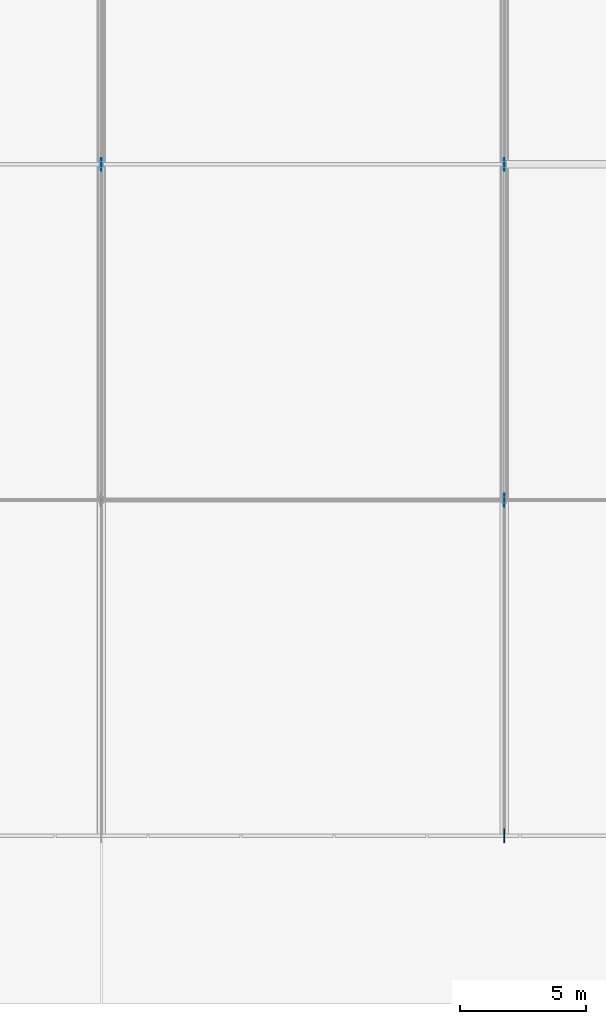
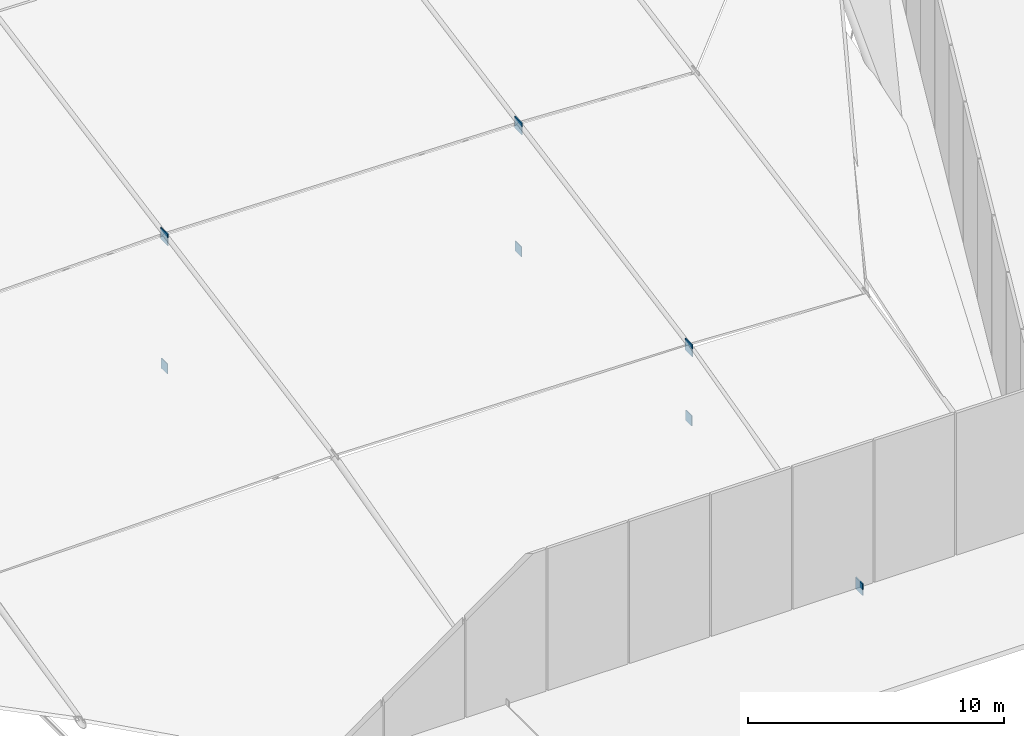
# One storey, part 23 of 30: 7 plates.
"""IFC4 building model written with IfcOpenShell, lengths in metres."""

from ifc_helpers import new_model, si_unit, direction, frame, origin, origin_2d, place, context, subcontext, project, spatial, rectangle, extrude, material, layer, layer_set, type_object, element, save


model = new_model("IFC4")

# Units and contexts
model_context = context("Model", 3, precision=1e-05, world=origin(), true_north=direction((0.0, 1.0)))
body_context = subcontext(model_context, "Body", "Model", "MODEL_VIEW")
ifc_project = project(units=[si_unit("LENGTHUNIT", "METRE"), si_unit("AREAUNIT", "SQUARE_METRE"), si_unit("VOLUMEUNIT", "CUBIC_METRE"), si_unit("PLANEANGLEUNIT", "RADIAN"), si_unit("MASSUNIT", "GRAM", prefix="KILO")], contexts=[model_context])

# Site, building, storey
site_placement = place(None, origin())
site = spatial("IfcSite", under=ifc_project, at=site_placement, CompositionType="ELEMENT")
building_placement = place(site_placement, origin())
building = spatial("IfcBuilding", under=site, at=building_placement, Name="Tazarka Park Arena", CompositionType="ELEMENT")
storey_placement = place(building_placement, frame((0.0, 0.0, 29.39990234375)))
storey = spatial("IfcBuildingStorey", under=building, at=storey_placement, Name="Roof", CompositionType="ELEMENT", Elevation=29.39990234375)

# Plates
ifc_material_1 = material(Name="Steel S460", Category="steel")
ifc_layer_1 = layer(ifc_material_1, 0.0439453125, Name="Steel S460")
ifc_layer_set_1 = layer_set([ifc_layer_1], Name="Steel S460")
plate_type_1 = type_object("IfcPlateType", Name="PLT-PL-07", PredefinedType="SHEET", material=ifc_layer_set_1)
for number, where, z_axis, x_axis, name in (
    (1, (88.0, 50.666748046875, 5.855712890625), (0.0, 0.0, 1.0), (1.0, 0.0, 0.0), "ANP-04-2"),
    (2, (104.0, 24.0, -0.280029296875), (0.0, 0.0, 1.0), (1.0, 0.0, 0.0), "ANP-05-0"),
    (3, (104.0, 37.333251953125, 3.043212890625), (0.0, 0.0, 1.0), (1.0, 0.0, 0.0), "ANP-05-1"),
    (4, (104.0, 50.666748046875, 5.5576171875), (0.0, 0.0, 1.0), (1.0, 0.0, 0.0), "ANP-05-2"),
):
    element("IfcPlate", number, at=place(storey_placement, frame(where, z_axis=z_axis, x_axis=x_axis)), inside=storey, type_object=plate_type_1, Name=name, PredefinedType="SHEET", context=body_context, shape_type="SweptSolid", body=[
        extrude(rectangle(XDim=0.0400390625, YDim=0.56005859375, at=origin_2d()), origin(), (0.0, 0.0, 1.0), 0.56005859375),
    ])
ifc_material_2 = material(Name="Steel S460", Category="steel")
ifc_layer_2 = layer(ifc_material_2, 0.035888671875, Name="Steel S460")
ifc_layer_set_2 = layer_set([ifc_layer_2], Name="Steel S460")
plate_type_2 = type_object("IfcPlateType", Name="PLT-PL-15", PredefinedType="USERDEFINED", material=ifc_layer_set_2)
for number, where, z_axis, x_axis, name in (
    (5, (88.0, 50.666748046875, -0.289794921875), (0.0, 0.0, 1.0), (1.0, 0.0, 0.0), "ANB-04-2"),
    (6, (104.0, 37.333251953125, -0.289794921875), (0.0, 0.0, 1.0), (1.0, 0.0, 0.0), "ANB-05-1"),
    (7, (104.0, 50.666748046875, -0.289794921875), (0.0, 0.0, 1.0), (1.0, 0.0, 0.0), "ANB-05-2"),
):
    element("IfcPlate", number, at=place(storey_placement, frame(where, z_axis=z_axis, x_axis=x_axis)), inside=storey, type_object=plate_type_2, Name=name, ObjectType="STIFFENER", PredefinedType="USERDEFINED", context=body_context, shape_type="SweptSolid", body=[
        extrude(rectangle(XDim=0.035888671875, YDim=0.47998046875, at=origin_2d()), origin(), (0.0, 0.0, 1.0), 0.47998046875),
    ])

save(model, "model.ifc")
